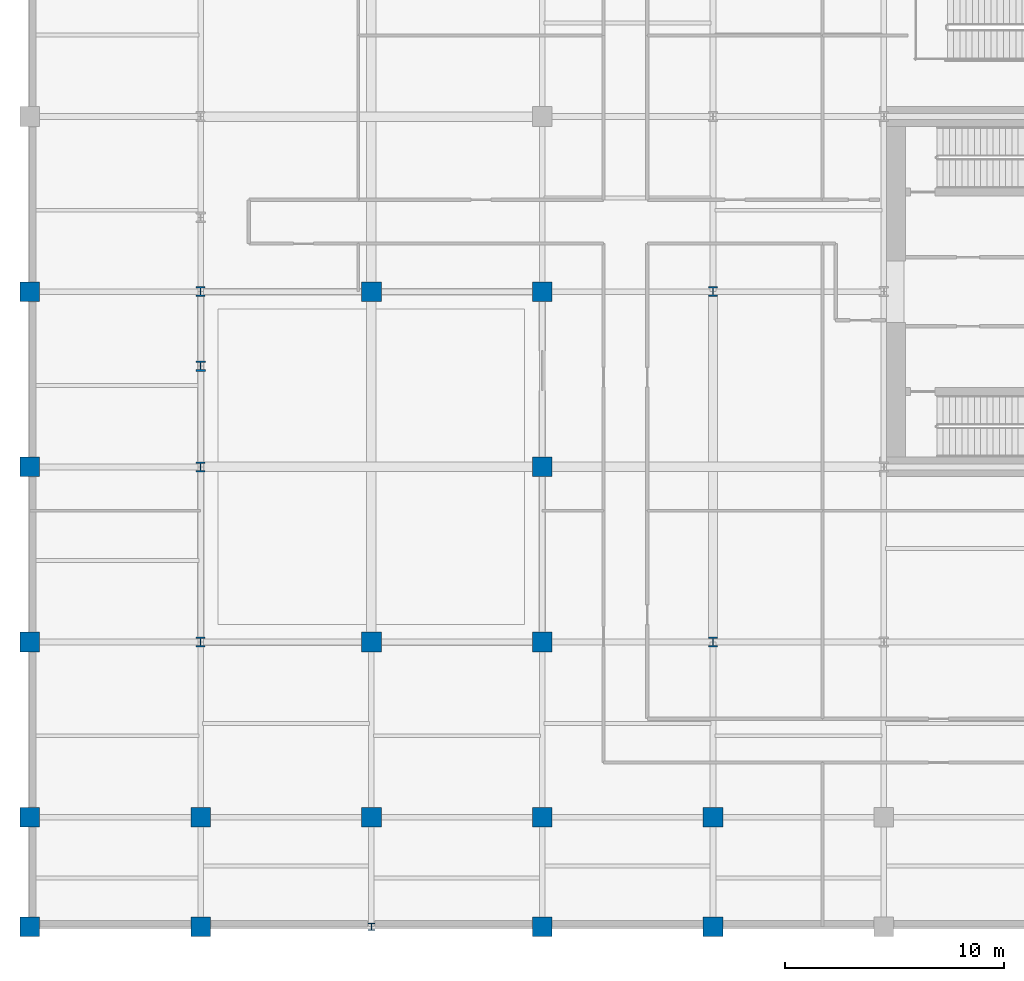
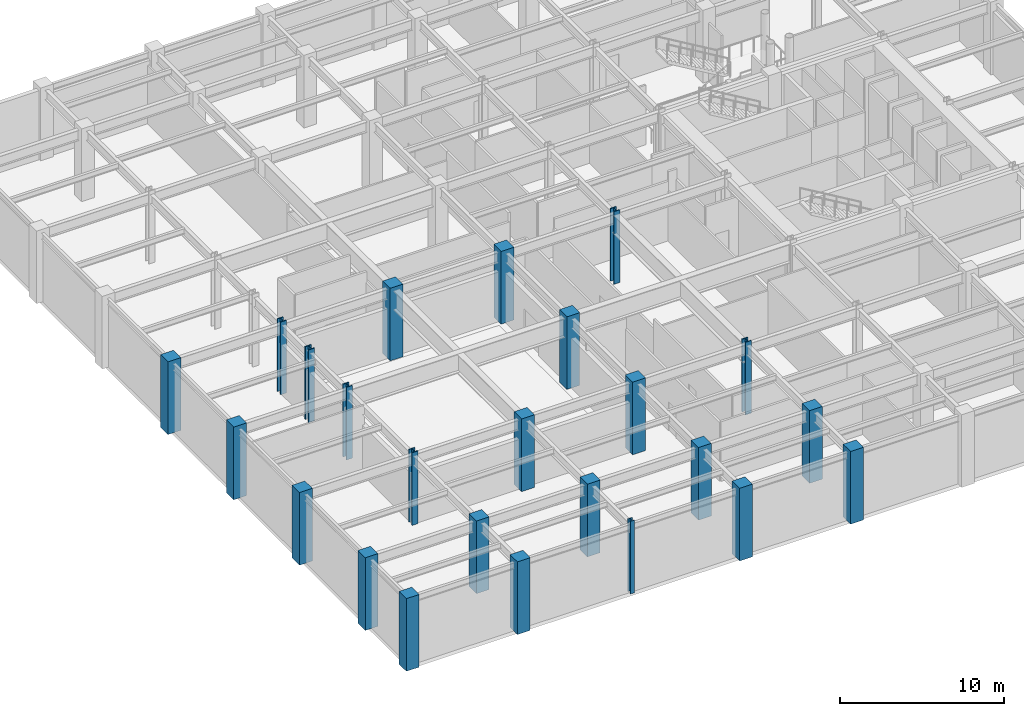
# One storey, part 1 of 11: 24 columns.
"""IFC4 building model written with IfcOpenShell, lengths in metres."""

from ifc_helpers import new_model, si_unit, direction, frame, origin, origin_2d, place, context, subcontext, project, spatial, rectangle, i_section, extrude, material, material_profile, profile_set, type_object, element, save


model = new_model("IFC4")

# Units and contexts
model_context = context("Model", 3, precision=1e-05, world=origin(), true_north=direction((0.0, 1.0)))
body_context = subcontext(model_context, "Body", "Model", "MODEL_VIEW")
ifc_project = project(units=[si_unit("LENGTHUNIT", "METRE"), si_unit("AREAUNIT", "SQUARE_METRE"), si_unit("VOLUMEUNIT", "CUBIC_METRE"), si_unit("PLANEANGLEUNIT", "RADIAN"), si_unit("MASSUNIT", "GRAM", prefix="KILO")], contexts=[model_context])

# Site, building, storey
site_placement = place(None, origin())
site = spatial("IfcSite", under=ifc_project, at=site_placement, CompositionType="ELEMENT")
building_placement = place(site_placement, origin())
building = spatial("IfcBuilding", under=site, at=building_placement, Name="Veymaron Broadcast Tower", CompositionType="ELEMENT")
storey_placement = place(building_placement, frame((0.0, 0.0, 16.199951171875)))
storey = spatial("IfcBuildingStorey", under=building, at=storey_placement, Name="L03", CompositionType="ELEMENT", Elevation=16.199951171875)

# Columns
ifc_material_1 = material(Name="Structural steel ASTM A913 Gr 65", Category="steel")
ifc_material_profile_1 = material_profile(ifc_material_1, i_section(OverallWidth=0.424072265625, OverallDepth=0.47412109375, WebThickness=0.047607421875, FlangeThickness=0.076904296875, at=origin_2d()), Name="W360X634")
ifc_profile_set_1 = profile_set([ifc_material_profile_1], Name="Structural steel ASTM A913 Gr 65")
column_type_1 = type_object("IfcColumnType", Name="COL-MC1", PredefinedType="COLUMN", material=ifc_profile_set_1)
column_1_placement = place(storey_placement, frame((7.800048828125, 20.60009765625, 0.0), z_axis=(0.0, 0.0, 1.0), x_axis=(1.0, 0.0, 0.0)))
element("IfcColumn", 1, at=column_1_placement, inside=storey, type_object=column_type_1, Name="L03 Mega Column podium base", PredefinedType="COLUMN", context=body_context, shape_type="SweptSolid", body=[
    extrude(i_section(OverallWidth=0.424072265625, OverallDepth=0.47412109375, WebThickness=0.047607421875, FlangeThickness=0.076904296875, at=origin_2d()), origin(), (0.0, 0.0, 1.0), 5.39404296875),
])
ifc_material_profile_2 = material_profile(ifc_material_1, i_section(OverallWidth=0.41796875, OverallDepth=0.455078125, WebThickness=0.0419921875, FlangeThickness=0.067626953125, at=origin_2d()), Name="W360X551")
ifc_profile_set_2 = profile_set([ifc_material_profile_2], Name="Structural steel ASTM A913 Gr 65")
column_type_2 = type_object("IfcColumnType", Name="COL-MC2", PredefinedType="COLUMN", material=ifc_profile_set_2)
for number, where, z_axis, x_axis, name in (
    (2, (7.800048828125, 8.0, 0.0), (0.0, 0.0, 1.0), (1.0, 0.0, 0.0), "L03 column (7.8, 8.0)"),
    (3, (7.800048828125, 16.0, 0.0), (0.0, 0.0, 1.0), (1.0, 0.0, 0.0), "L03 column (7.8, 16.0)"),
    (4, (7.800048828125, 24.0, 0.0), (0.0, 0.0, 1.0), (1.0, 0.0, 0.0), "L03 column (7.8, 24.0)"),
    (5, (31.199951171875, 8.0, 0.0), (0.0, 0.0, 1.0), (1.0, 0.0, 0.0), "L03 column (31.2, 8.0)"),
    (6, (31.199951171875, 24.0, 0.0), (0.0, 0.0, 1.0), (1.0, 0.0, 0.0), "L03 column (31.2, 24.0)"),
):
    element("IfcColumn", number, at=place(storey_placement, frame(where, z_axis=z_axis, x_axis=x_axis)), inside=storey, type_object=column_type_2, Name=name, PredefinedType="COLUMN", context=body_context, shape_type="SweptSolid", body=[
        extrude(i_section(OverallWidth=0.41796875, OverallDepth=0.455078125, WebThickness=0.0419921875, FlangeThickness=0.067626953125, at=origin_2d()), origin(), (0.0, 0.0, 1.0), 5.39501953125),
    ])
ifc_material_2 = material(Name="Concrete C50/60", Category="concrete")
ifc_material_profile_3 = material_profile(ifc_material_2, rectangle(XDim=0.89990234375, YDim=0.89990234375, at=origin_2d()), Name="RC900X900")
ifc_profile_set_3 = profile_set([ifc_material_profile_3], Name="Concrete C50/60")
column_type_3 = type_object("IfcColumnType", Name="COL-RC4", PredefinedType="COLUMN", material=ifc_profile_set_3)
for number, where, z_axis, x_axis, name in (
    (7, (0.0, -5.0, 0.0), (0.0, 0.0, 1.0), (1.0, 0.0, 0.0), "L03 column (0.0, -5.0)"),
    (8, (0.0, 0.0, 0.0), (0.0, 0.0, 1.0), (1.0, 0.0, 0.0), "L03 column (0.0, 0.0)"),
    (9, (0.0, 8.0, 0.0), (0.0, 0.0, 1.0), (1.0, 0.0, 0.0), "L03 column (0.0, 8.0)"),
    (10, (0.0, 16.0, 0.0), (0.0, 0.0, 1.0), (1.0, 0.0, 0.0), "L03 column (0.0, 16.0)"),
    (11, (0.0, 24.0, 0.0), (0.0, 0.0, 1.0), (1.0, 0.0, 0.0), "L03 column (0.0, 24.0)"),
    (12, (7.800048828125, -5.0, 0.0), (0.0, 0.0, 1.0), (1.0, 0.0, 0.0), "L03 column (7.8, -5.0)"),
    (13, (7.800048828125, 0.0, 0.0), (0.0, 0.0, 1.0), (1.0, 0.0, 0.0), "L03 column (7.8, 0.0)"),
    (14, (15.60009765625, 0.0, 0.0), (0.0, 0.0, 1.0), (1.0, 0.0, 0.0), "L03 column (15.6, 0.0)"),
    (15, (15.60009765625, 8.0, 0.0), (0.0, 0.0, 1.0), (1.0, 0.0, 0.0), "L03 column (15.6, 8.0)"),
    (16, (15.60009765625, 24.0, 0.0), (0.0, 0.0, 1.0), (1.0, 0.0, 0.0), "L03 column (15.6, 24.0)"),
    (17, (23.39990234375, -5.0, 0.0), (0.0, 0.0, 1.0), (1.0, 0.0, 0.0), "L03 column (23.4, -5.0)"),
    (18, (23.39990234375, 0.0, 0.0), (0.0, 0.0, 1.0), (1.0, 0.0, 0.0), "L03 column (23.4, 0.0)"),
    (19, (23.39990234375, 8.0, 0.0), (0.0, 0.0, 1.0), (1.0, 0.0, 0.0), "L03 column (23.4, 8.0)"),
    (20, (23.39990234375, 16.0, 0.0), (0.0, 0.0, 1.0), (1.0, 0.0, 0.0), "L03 column (23.4, 16.0)"),
    (21, (23.39990234375, 24.0, 0.0), (0.0, 0.0, 1.0), (1.0, 0.0, 0.0), "L03 column (23.4, 24.0)"),
    (22, (31.199951171875, -5.0, 0.0), (0.0, 0.0, 1.0), (1.0, 0.0, 0.0), "L03 column (31.2, -5.0)"),
    (23, (31.199951171875, 0.0, 0.0), (0.0, 0.0, 1.0), (1.0, 0.0, 0.0), "L03 column (31.2, 0.0)"),
):
    element("IfcColumn", number, at=place(storey_placement, frame(where, z_axis=z_axis, x_axis=x_axis)), inside=storey, type_object=column_type_3, Name=name, PredefinedType="COLUMN", context=body_context, shape_type="SweptSolid", body=[
        extrude(rectangle(XDim=0.89990234375, YDim=0.89990234375, at=origin_2d()), origin(), (0.0, 0.0, 1.0), 5.39501953125),
    ])
ifc_material_3 = material(Name="Structural steel ASTM A992 Gr 50", Category="steel")
ifc_material_profile_4 = material_profile(ifc_material_3, i_section(OverallWidth=0.30908203125, OverallDepth=0.322998046875, WebThickness=0.01318359375, FlangeThickness=0.02294921875, at=origin_2d()), Name="W310X143")
ifc_profile_set_4 = profile_set([ifc_material_profile_4], Name="Structural steel ASTM A992 Gr 50")
column_type_4 = type_object("IfcColumnType", Name="COL-SC2", PredefinedType="COLUMN", material=ifc_profile_set_4)
column_2_placement = place(storey_placement, frame((15.60009765625, -5.0, 0.0), z_axis=(0.0, 0.0, 1.0), x_axis=(1.0, 0.0, 0.0)))
element("IfcColumn", 24, at=column_2_placement, inside=storey, type_object=column_type_4, Name="L03 column (15.6, -5.0)", PredefinedType="COLUMN", context=body_context, shape_type="SweptSolid", body=[
    extrude(i_section(OverallWidth=0.30908203125, OverallDepth=0.322998046875, WebThickness=0.01318359375, FlangeThickness=0.02294921875, at=origin_2d()), origin(), (0.0, 0.0, 1.0), 5.39501953125),
])

save(model, "model.ifc")
